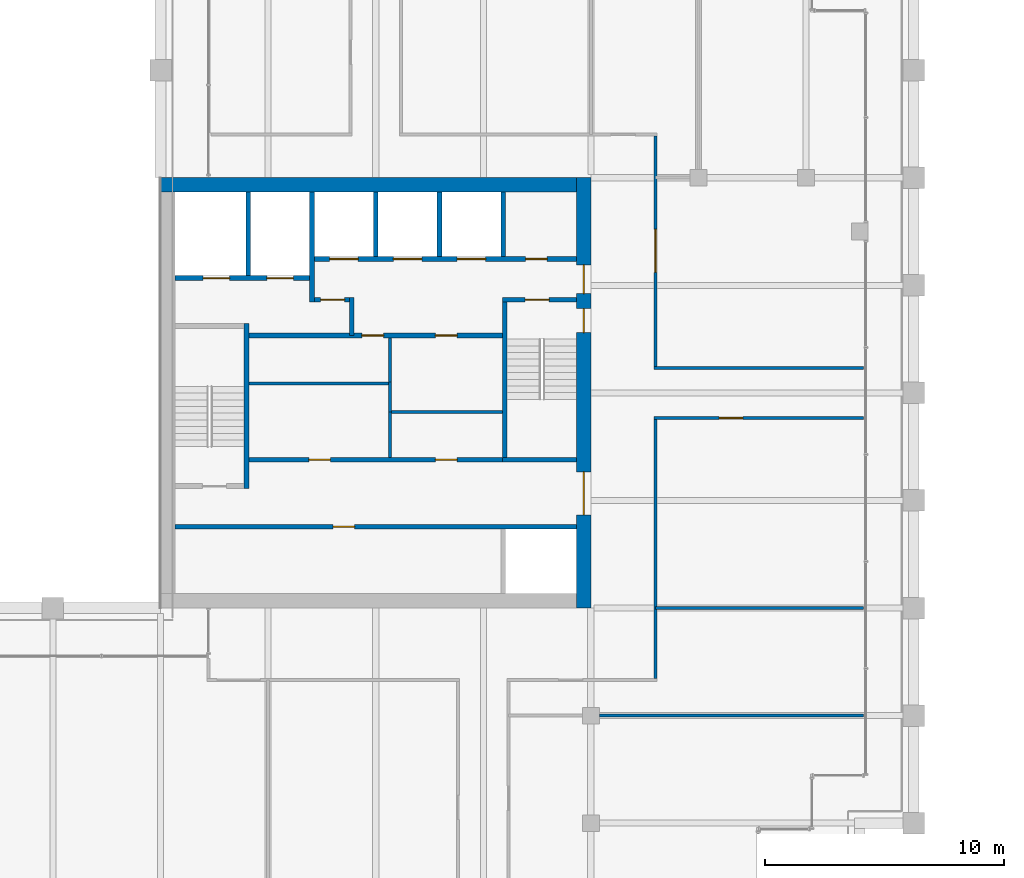
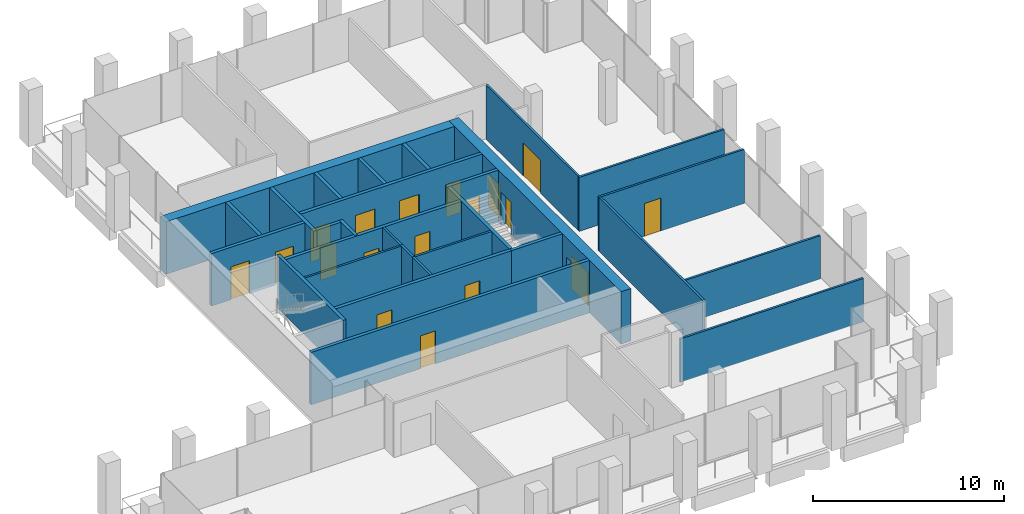
# One storey, part 36 of 40: 29 walls, 18 doors, 18 openings.
"""IFC4 building model written with IfcOpenShell, lengths in metres."""

from ifc_helpers import new_model, si_unit, direction, frame, frame_2d, origin, place, context, subcontext, project, spatial, rectangle, extrude, material, layer, layer_set, type_object, element, fill, save


model = new_model("IFC4")

# Units and contexts
model_context = context("Model", 3, precision=1e-05, world=origin(), true_north=direction((0.0, 1.0)))
body_context = subcontext(model_context, "Body", "Model", "MODEL_VIEW")
ifc_project = project(units=[si_unit("LENGTHUNIT", "METRE"), si_unit("AREAUNIT", "SQUARE_METRE"), si_unit("VOLUMEUNIT", "CUBIC_METRE"), si_unit("PLANEANGLEUNIT", "RADIAN"), si_unit("MASSUNIT", "GRAM", prefix="KILO")], contexts=[model_context])

# Site, building, storey
site_placement = place(None, origin())
site = spatial("IfcSite", under=ifc_project, at=site_placement, CompositionType="ELEMENT")
building_placement = place(site_placement, origin())
building = spatial("IfcBuilding", under=site, at=building_placement, Name="Altepetl Exchange Towers", CompositionType="ELEMENT")
storey_placement = place(building_placement, frame((0.0, 0.0, 183.39990234375)))
storey = spatial("IfcBuildingStorey", under=building, at=storey_placement, Name="L46", CompositionType="ELEMENT", Elevation=183.39990234375)

# Wall, openings, doors
ifc_material_1 = material(Name="Concrete C70/85", Category="concrete")
ifc_layer_1 = layer(ifc_material_1, 0.60009765625)
ifc_layer_set_1 = layer_set([ifc_layer_1], Name="Concrete C70/85")
wall_type_1 = type_object("IfcWallType", Name="Core wall 600 reinforced concrete", PredefinedType="SHEAR", material=ifc_layer_set_1)
wall_1_placement = place(storey_placement, frame((58.199951171875, 40.5, 0.0), z_axis=(0.0, 0.0, 1.0), x_axis=(0.0, 1.0, 0.0)))
wall_1 = element("IfcWall", 1, at=wall_1_placement, inside=storey, type_object=wall_type_1, Name="wall:A:L46:K-coreE", PredefinedType="SHEAR", context=body_context, shape_type="SweptSolid", body=[
    extrude(rectangle(XDim=18.0, YDim=0.60009765625, at=frame_2d((9.0, 0.0))), origin(), (0.0, 0.0, 1.0), 3.35009765625),
])
opening_1_placement = place(wall_1_placement, frame((13.14990234375, 0.0, 0.0)))
opening_1 = element("IfcOpeningElement", 2, at=opening_1_placement, cuts=wall_1, Name="Opening L46.A60", PredefinedType="OPENING", context=body_context, shape_type="SweptSolid", body=[
    extrude(rectangle(XDim=1.199951171875, YDim=2.10009765625, at=frame_2d((0.60009765625, 1.050048828125))), frame((0.0, 0.31005859375, 0.0), z_axis=(0.0, -1.0, 0.0), x_axis=(1.0, 0.0, 0.0)), (0.0, 0.0, 1.0), 0.6201171875),
])
opening_2_placement = place(wall_1_placement, frame((3.89990234375, 0.0, 0.0)))
opening_2 = element("IfcOpeningElement", 3, at=opening_2_placement, cuts=wall_1, Name="Opening L46.A61", PredefinedType="OPENING", context=body_context, shape_type="SweptSolid", body=[
    extrude(rectangle(XDim=1.800048828125, YDim=2.10009765625, at=frame_2d((0.89990234375, 1.050048828125))), frame((0.0, 0.31005859375, 0.0), z_axis=(0.0, -1.0, 0.0), x_axis=(1.0, 0.0, 0.0)), (0.0, 0.0, 1.0), 0.6201171875),
])
opening_3_placement = place(wall_1_placement, frame((11.52490234375, 0.0, 0.0)))
opening_3 = element("IfcOpeningElement", 4, at=opening_3_placement, cuts=wall_1, Name="Opening L46.A64", PredefinedType="OPENING", context=body_context, shape_type="SweptSolid", body=[
    extrude(rectangle(XDim=1.0, YDim=2.10009765625, at=frame_2d((0.5, 1.050048828125))), frame((0.0, 0.31005859375, 0.0), z_axis=(0.0, -1.0, 0.0), x_axis=(1.0, 0.0, 0.0)), (0.0, 0.0, 1.0), 0.6201171875),
])
ifc_material_2 = material(Name="Steel and timber fire door", Category="steel")
door_type_1 = type_object("IfcDoorType", Name="Fire door 1000 x 2100 stair and lobby", OperationType="SINGLE_SWING_LEFT", PredefinedType="DOOR", material=ifc_material_2)
door_1_placement = place(opening_3_placement, origin())
door_1 = element("IfcDoor", 5, at=door_1_placement, inside=storey, type_object=door_type_1, Name="door:A:L46:K-dS2x", OperationType="SINGLE_SWING_RIGHT", OverallHeight=2.10009765625, OverallWidth=1.0, PredefinedType="DOOR", context=body_context, shape_type="SweptSolid", body=[
    extrude(rectangle(XDim=1.0, YDim=2.10009765625, at=frame_2d((0.5, 1.050048828125))), frame((0.0, 0.02490234375, 0.0), z_axis=(0.0, -1.0, 0.0), x_axis=(1.0, 0.0, 0.0)), (0.0, 0.0, 1.0), 0.050048828125),
])
fill(opening_3, door_1)
door_type_2 = type_object("IfcDoorType", Name="Fire door 1200 x 2100 lobby entry", OperationType="SINGLE_SWING_LEFT", PredefinedType="DOOR", material=ifc_material_2)
door_2_placement = place(opening_1_placement, origin())
door_2 = element("IfcDoor", 6, at=door_2_placement, inside=storey, type_object=door_type_2, Name="door:A:L46:K-dLNE", OperationType="SINGLE_SWING_RIGHT", OverallHeight=2.10009765625, OverallWidth=1.199951171875, PredefinedType="DOOR", context=body_context, shape_type="SweptSolid", body=[
    extrude(rectangle(XDim=1.199951171875, YDim=2.10009765625, at=frame_2d((0.60009765625, 1.050048828125))), frame((0.0, 0.02490234375, 0.0), z_axis=(0.0, -1.0, 0.0), x_axis=(1.0, 0.0, 0.0)), (0.0, 0.0, 1.0), 0.050048828125),
])
fill(opening_1, door_2)
door_type_3 = type_object("IfcDoorType", Name="Fire door 1800 x 2100 lobby entry", OperationType="DOUBLE_DOOR_SINGLE_SWING", PredefinedType="DOOR", material=ifc_material_2)
door_3_placement = place(opening_2_placement, origin())
door_3 = element("IfcDoor", 7, at=door_3_placement, inside=storey, type_object=door_type_3, Name="door:A:L46:K-dLSE", OperationType="DOUBLE_DOOR_SINGLE_SWING", OverallHeight=2.10009765625, OverallWidth=1.800048828125, PredefinedType="DOOR", context=body_context, shape_type="SweptSolid", body=[
    extrude(rectangle(XDim=1.800048828125, YDim=2.10009765625, at=frame_2d((0.89990234375, 1.050048828125))), frame((0.0, 0.02490234375, 0.0), z_axis=(0.0, -1.0, 0.0), x_axis=(1.0, 0.0, 0.0)), (0.0, 0.0, 1.0), 0.050048828125),
])
fill(opening_2, door_3)

# Walls
wall_2_placement = place(storey_placement, frame((40.5, 58.199951171875, 0.0)))
element("IfcWall", 8, at=wall_2_placement, inside=storey, type_object=wall_type_1, Name="wall:A:L46:K-coreN", PredefinedType="SHEAR", context=body_context, shape_type="SweptSolid", body=[
    extrude(rectangle(XDim=17.39990234375, YDim=0.60009765625, at=frame_2d((8.699951171875, 0.0))), origin(), (0.0, 0.0, 1.0), 3.35009765625),
])
ifc_material_3 = material(Name="Concrete blockwork", Category="masonry")
ifc_layer_2 = layer(ifc_material_3, 0.199951171875)
ifc_layer_set_2 = layer_set([ifc_layer_2], Name="Concrete blockwork")
wall_type_2 = type_object("IfcWallType", Name="Lobby wall 200 blockwork", PredefinedType="PARTITIONING", material=ifc_layer_set_2)
wall_3_placement = place(storey_placement, frame((48.5, 51.89990234375, 0.0), z_axis=(0.0, 0.0, 1.0), x_axis=(0.0, 1.0, 0.0)))
element("IfcWall", 9, at=wall_3_placement, inside=storey, type_object=wall_type_2, Name="wall:A:L46:K-ffE", PredefinedType="PARTITIONING", context=body_context, shape_type="SweptSolid", body=[
    extrude(rectangle(XDim=1.60009765625, YDim=0.199951171875, at=frame_2d((0.800048828125, 0.0))), origin(), (0.0, 0.0, 1.0), 3.35009765625),
])

# Wall, opening, door
wall_4_placement = place(storey_placement, frame((46.933349609375, 53.39990234375, 0.0)))
wall_4 = element("IfcWall", 10, at=wall_4_placement, inside=storey, type_object=wall_type_2, Name="wall:A:L46:K-ffN", PredefinedType="PARTITIONING", context=body_context, shape_type="SweptSolid", body=[
    extrude(rectangle(XDim=1.466552734375, YDim=0.199951171875, at=frame_2d((0.7333984375, 0.0))), origin(), (0.0, 0.0, 1.0), 3.35009765625),
])
opening_4_placement = place(wall_4_placement, frame((0.2666015625, 0.0, 0.0)))
opening_4 = element("IfcOpeningElement", 11, at=opening_4_placement, cuts=wall_4, Name="Opening L46.A65", PredefinedType="OPENING", context=body_context, shape_type="SweptSolid", body=[
    extrude(rectangle(XDim=1.0, YDim=2.10009765625, at=frame_2d((0.5, 1.050048828125))), frame((0.0, 0.10986328125, 0.0), z_axis=(0.0, -1.0, 0.0), x_axis=(1.0, 0.0, 0.0)), (0.0, 0.0, 1.0), 0.219970703125),
])
door_4_placement = place(opening_4_placement, frame((1.0, 0.0, 0.0), x_axis=(-1.0, 0.0, 0.0)))
door_4 = element("IfcDoor", 12, at=door_4_placement, inside=storey, type_object=door_type_1, Name="door:A:L46:K-dffN", OperationType="SINGLE_SWING_RIGHT", OverallHeight=2.10009765625, OverallWidth=1.0, PredefinedType="DOOR", context=body_context, shape_type="SweptSolid", body=[
    extrude(rectangle(XDim=1.0, YDim=2.10009765625, at=frame_2d((0.5, 1.050048828125))), frame((0.0, 0.02490234375, 0.0), z_axis=(0.0, -1.0, 0.0), x_axis=(1.0, 0.0, 0.0)), (0.0, 0.0, 1.0), 0.050048828125),
])
fill(opening_4, door_4)

# Wall, openings, doors
wall_5_placement = place(storey_placement, frame((44.199951171875, 51.89990234375, 0.0)))
wall_5 = element("IfcWall", 13, at=wall_5_placement, inside=storey, type_object=wall_type_2, Name="wall:A:L46:K-zoneN", PredefinedType="PARTITIONING", context=body_context, shape_type="SweptSolid", body=[
    extrude(rectangle(XDim=10.60009765625, YDim=0.199951171875, at=frame_2d((5.300048828125, 0.0))), origin(), (0.0, 0.0, 1.0), 3.35009765625),
])
opening_5_placement = place(wall_5_placement, frame((4.72509765625, 0.0, 0.0)))
opening_5 = element("IfcOpeningElement", 14, at=opening_5_placement, cuts=wall_5, Name="Opening L46.A69", PredefinedType="OPENING", context=body_context, shape_type="SweptSolid", body=[
    extrude(rectangle(XDim=0.89990234375, YDim=2.10009765625, at=frame_2d((0.449951171875, 1.050048828125))), frame((0.0, 0.10986328125, 0.0), z_axis=(0.0, -1.0, 0.0), x_axis=(1.0, 0.0, 0.0)), (0.0, 0.0, 1.0), 0.219970703125),
])
opening_6_placement = place(wall_5_placement, frame((7.800048828125, 0.0, 0.0)))
opening_6 = element("IfcOpeningElement", 15, at=opening_6_placement, cuts=wall_5, Name="Opening L46.A71", PredefinedType="OPENING", context=body_context, shape_type="SweptSolid", body=[
    extrude(rectangle(XDim=0.89990234375, YDim=2.10009765625, at=frame_2d((0.449951171875, 1.050048828125))), frame((0.0, 0.10986328125, 0.0), z_axis=(0.0, -1.0, 0.0), x_axis=(1.0, 0.0, 0.0)), (0.0, 0.0, 1.0), 0.219970703125),
])
door_type_4 = type_object("IfcDoorType", Name="Fire door 900 x 2100 service room", OperationType="SINGLE_SWING_LEFT", PredefinedType="DOOR", material=ifc_material_2)
door_5_placement = place(opening_5_placement, frame((0.89990234375, 0.0, 0.0), x_axis=(-1.0, 0.0, 0.0)))
door_5 = element("IfcDoor", 16, at=door_5_placement, inside=storey, type_object=door_type_4, Name="door:A:L46:K-dz2", OperationType="SINGLE_SWING_RIGHT", OverallHeight=2.10009765625, OverallWidth=0.89990234375, PredefinedType="DOOR", context=body_context, shape_type="SweptSolid", body=[
    extrude(rectangle(XDim=0.89990234375, YDim=2.10009765625, at=frame_2d((0.449951171875, 1.050048828125))), frame((0.0, 0.02490234375, 0.0), z_axis=(0.0, -1.0, 0.0), x_axis=(1.0, 0.0, 0.0)), (0.0, 0.0, 1.0), 0.050048828125),
])
fill(opening_5, door_5)
door_6_placement = place(opening_6_placement, frame((0.89990234375, 0.0, 0.0), x_axis=(-1.0, 0.0, 0.0)))
door_6 = element("IfcDoor", 17, at=door_6_placement, inside=storey, type_object=door_type_4, Name="door:A:L46:K-dz4", OperationType="SINGLE_SWING_LEFT", OverallHeight=2.10009765625, OverallWidth=0.89990234375, PredefinedType="DOOR", context=body_context, shape_type="SweptSolid", body=[
    extrude(rectangle(XDim=0.89990234375, YDim=2.10009765625, at=frame_2d((0.449951171875, 1.050048828125))), frame((0.0, 0.02490234375, 0.0), z_axis=(0.0, -1.0, 0.0), x_axis=(1.0, 0.0, 0.0)), (0.0, 0.0, 1.0), 0.050048828125),
])
fill(opening_6, door_6)

wall_6_placement = place(storey_placement, frame((44.199951171875, 46.699951171875, 0.0)))
wall_6 = element("IfcWall", 18, at=wall_6_placement, inside=storey, type_object=wall_type_2, Name="wall:A:L46:K-zoneS", PredefinedType="PARTITIONING", context=body_context, shape_type="SweptSolid", body=[
    extrude(rectangle(XDim=10.60009765625, YDim=0.199951171875, at=frame_2d((5.300048828125, 0.0))), origin(), (0.0, 0.0, 1.0), 3.35009765625),
])
opening_7_placement = place(wall_6_placement, frame((2.5, 0.0, 0.0)))
opening_7 = element("IfcOpeningElement", 19, at=opening_7_placement, cuts=wall_6, Name="Opening L46.A68", PredefinedType="OPENING", context=body_context, shape_type="SweptSolid", body=[
    extrude(rectangle(XDim=0.89990234375, YDim=2.10009765625, at=frame_2d((0.449951171875, 1.050048828125))), frame((0.0, 0.10986328125, 0.0), z_axis=(0.0, -1.0, 0.0), x_axis=(1.0, 0.0, 0.0)), (0.0, 0.0, 1.0), 0.219970703125),
])
opening_8_placement = place(wall_6_placement, frame((7.800048828125, 0.0, 0.0)))
opening_8 = element("IfcOpeningElement", 20, at=opening_8_placement, cuts=wall_6, Name="Opening L46.A70", PredefinedType="OPENING", context=body_context, shape_type="SweptSolid", body=[
    extrude(rectangle(XDim=0.89990234375, YDim=2.10009765625, at=frame_2d((0.449951171875, 1.050048828125))), frame((0.0, 0.10986328125, 0.0), z_axis=(0.0, -1.0, 0.0), x_axis=(1.0, 0.0, 0.0)), (0.0, 0.0, 1.0), 0.219970703125),
])
door_7_placement = place(opening_7_placement, origin())
door_7 = element("IfcDoor", 21, at=door_7_placement, inside=storey, type_object=door_type_4, Name="door:A:L46:K-dz1", OperationType="SINGLE_SWING_RIGHT", OverallHeight=2.10009765625, OverallWidth=0.89990234375, PredefinedType="DOOR", context=body_context, shape_type="SweptSolid", body=[
    extrude(rectangle(XDim=0.89990234375, YDim=2.10009765625, at=frame_2d((0.449951171875, 1.050048828125))), frame((0.0, 0.02490234375, 0.0), z_axis=(0.0, -1.0, 0.0), x_axis=(1.0, 0.0, 0.0)), (0.0, 0.0, 1.0), 0.050048828125),
])
fill(opening_7, door_7)
door_8_placement = place(opening_8_placement, origin())
door_8 = element("IfcDoor", 22, at=door_8_placement, inside=storey, type_object=door_type_4, Name="door:A:L46:K-dz3", OperationType="SINGLE_SWING_RIGHT", OverallHeight=2.10009765625, OverallWidth=0.89990234375, PredefinedType="DOOR", context=body_context, shape_type="SweptSolid", body=[
    extrude(rectangle(XDim=0.89990234375, YDim=2.10009765625, at=frame_2d((0.449951171875, 1.050048828125))), frame((0.0, 0.02490234375, 0.0), z_axis=(0.0, -1.0, 0.0), x_axis=(1.0, 0.0, 0.0)), (0.0, 0.0, 1.0), 0.050048828125),
])
fill(opening_8, door_8)

# Walls
ifc_material_4 = material(Name="Gypsum board on steel studs", Category="steel")
ifc_layer_3 = layer(ifc_material_4, 0.125)
ifc_layer_set_3 = layer_set([ifc_layer_3], Name="Gypsum board on steel studs")
wall_type_3 = type_object("IfcWallType", Name="Partition 125 gypsum board on steel studs", PredefinedType="PARTITIONING", material=ifc_layer_set_3)
wall_7_placement = place(storey_placement, frame((50.10009765625, 46.800048828125, 0.0), z_axis=(0.0, 0.0, 1.0), x_axis=(0.0, 1.0, 0.0)))
element("IfcWall", 23, at=wall_7_placement, inside=storey, type_object=wall_type_3, Name="wall:A:L46:K-zp1", PredefinedType="PARTITIONING", context=body_context, shape_type="SweptSolid", body=[
    extrude(rectangle(XDim=1.96240234375, YDim=0.125, at=frame_2d((0.981201171875, 0.0))), origin(), (0.0, 0.0, 1.0), 3.35009765625),
])
wall_8_placement = place(storey_placement, frame((54.800048828125, 48.699951171875, 0.0), z_axis=(0.0, 0.0, 1.0), x_axis=(-1.0, 0.0, 0.0)))
element("IfcWall", 24, at=wall_8_placement, inside=storey, type_object=wall_type_3, Name="wall:A:L46:K-zp2", PredefinedType="PARTITIONING", context=body_context, shape_type="SweptSolid", body=[
    extrude(rectangle(XDim=4.637451171875, YDim=0.125, at=frame_2d((2.31884765625, 0.0))), origin(), (0.0, 0.0, 1.0), 3.35009765625),
])
wall_9_placement = place(storey_placement, frame((50.10009765625, 48.699951171875, 0.0), z_axis=(0.0, 0.0, 1.0), x_axis=(0.0, 1.0, 0.0)))
element("IfcWall", 25, at=wall_9_placement, inside=storey, type_object=wall_type_3, Name="wall:A:L46:K-zp3", PredefinedType="PARTITIONING", context=body_context, shape_type="SweptSolid", body=[
    extrude(rectangle(XDim=1.262451171875, YDim=0.125, at=frame_2d((0.63134765625, 0.0))), origin(), (0.0, 0.0, 1.0), 3.35009765625),
])
wall_10_placement = place(storey_placement, frame((50.03759765625, 49.89990234375, 0.0), z_axis=(0.0, 0.0, 1.0), x_axis=(-1.0, 0.0, 0.0)))
element("IfcWall", 26, at=wall_10_placement, inside=storey, type_object=wall_type_3, Name="wall:A:L46:K-zp4", PredefinedType="PARTITIONING", context=body_context, shape_type="SweptSolid", body=[
    extrude(rectangle(XDim=5.837646484375, YDim=0.125, at=frame_2d((2.9189453125, 0.0))), origin(), (0.0, 0.0, 1.0), 3.35009765625),
])
wall_11_placement = place(storey_placement, frame((50.10009765625, 49.89990234375, 0.0), z_axis=(0.0, 0.0, 1.0), x_axis=(0.0, 1.0, 0.0)))
element("IfcWall", 27, at=wall_11_placement, inside=storey, type_object=wall_type_3, Name="wall:A:L46:K-zp5", PredefinedType="PARTITIONING", context=body_context, shape_type="SweptSolid", body=[
    extrude(rectangle(XDim=1.900146484375, YDim=0.125, at=frame_2d((0.9501953125, 0.0))), origin(), (0.0, 0.0, 1.0), 3.35009765625),
])
wall_12_placement = place(storey_placement, frame((58.85009765625, 36.0, 0.0)))
element("IfcWall", 28, at=wall_12_placement, inside=storey, type_object=wall_type_3, Name="wall:A:L46:P02", PredefinedType="PARTITIONING", context=body_context, shape_type="SweptSolid", body=[
    extrude(rectangle(XDim=11.0498046875, YDim=0.125, at=frame_2d((5.52490234375, 0.0))), origin(), (0.0, 0.0, 1.0), 2.76611328125),
])
wall_13_placement = place(storey_placement, frame((61.199951171875, 40.5, 0.0)))
element("IfcWall", 29, at=wall_13_placement, inside=storey, type_object=wall_type_3, Name="wall:A:L46:P05", PredefinedType="PARTITIONING", context=body_context, shape_type="SweptSolid", body=[
    extrude(rectangle(XDim=8.699951171875, YDim=0.125, at=frame_2d((4.35009765625, 0.0))), origin(), (0.0, 0.0, 1.0), 2.76611328125),
])

# Wall, opening, door
wall_14_placement = place(storey_placement, frame((61.137451171875, 48.449951171875, 0.0)))
wall_14 = element("IfcWall", 30, at=wall_14_placement, inside=storey, type_object=wall_type_3, Name="wall:A:L46:P06", PredefinedType="PARTITIONING", context=body_context, shape_type="SweptSolid", body=[
    extrude(rectangle(XDim=8.762451171875, YDim=0.125, at=frame_2d((4.38134765625, 0.0))), origin(), (0.0, 0.0, 1.0), 3.4501953125),
])
opening_9_placement = place(wall_14_placement, frame((2.722412109375, 0.0, 0.0)))
opening_9 = element("IfcOpeningElement", 31, at=opening_9_placement, cuts=wall_14, Name="Opening L46.A05", PredefinedType="OPENING", context=body_context, shape_type="SweptSolid", body=[
    extrude(rectangle(XDim=1.0, YDim=2.10009765625, at=frame_2d((0.5, 1.050048828125))), frame((0.0, 0.072509765625, 0.0), z_axis=(0.0, -1.0, 0.0), x_axis=(1.0, 0.0, 0.0)), (0.0, 0.0, 1.0), 0.14501953125),
])
door_type_5 = type_object("IfcDoorType", Name="Fire door 1000 x 2100 single leaf", OperationType="SINGLE_SWING_LEFT", PredefinedType="DOOR", material=ifc_material_2)
door_9_placement = place(opening_9_placement, frame((1.0, 0.0, 0.0), x_axis=(-1.0, 0.0, 0.0)))
door_9 = element("IfcDoor", 32, at=door_9_placement, inside=storey, type_object=door_type_5, Name="door:A:L46:05", OperationType="SINGLE_SWING_LEFT", OverallHeight=2.10009765625, OverallWidth=1.0, PredefinedType="DOOR", context=body_context, shape_type="SweptSolid", body=[
    extrude(rectangle(XDim=1.0, YDim=2.10009765625, at=frame_2d((0.5, 1.050048828125))), frame((0.0, 0.02490234375, 0.0), z_axis=(0.0, -1.0, 0.0), x_axis=(1.0, 0.0, 0.0)), (0.0, 0.0, 1.0), 0.050048828125),
])
fill(opening_9, door_9)

# Walls
wall_15_placement = place(storey_placement, frame((61.137451171875, 50.550048828125, 0.0)))
element("IfcWall", 33, at=wall_15_placement, inside=storey, type_object=wall_type_3, Name="wall:A:L46:P07", PredefinedType="PARTITIONING", context=body_context, shape_type="SweptSolid", body=[
    extrude(rectangle(XDim=8.762451171875, YDim=0.125, at=frame_2d((4.38134765625, 0.0))), origin(), (0.0, 0.0, 1.0), 3.4501953125),
])
wall_16_placement = place(storey_placement, frame((61.199951171875, 37.5625, 0.0), z_axis=(0.0, 0.0, 1.0), x_axis=(0.0, 1.0, 0.0)))
element("IfcWall", 34, at=wall_16_placement, inside=storey, type_object=wall_type_3, Name="wall:A:L46:P18", PredefinedType="PARTITIONING", context=body_context, shape_type="SweptSolid", body=[
    extrude(rectangle(XDim=10.824951171875, YDim=0.125, at=frame_2d((5.41259765625, 0.0))), origin(), (0.0, 0.0, 1.0), 3.4501953125),
])

# Wall, opening, door
wall_17_placement = place(storey_placement, frame((61.199951171875, 50.612548828125, 0.0), z_axis=(0.0, 0.0, 1.0), x_axis=(0.0, 1.0, 0.0)))
wall_17 = element("IfcWall", 35, at=wall_17_placement, inside=storey, type_object=wall_type_3, Name="wall:A:L46:P19", PredefinedType="PARTITIONING", context=body_context, shape_type="SweptSolid", body=[
    extrude(rectangle(XDim=9.625, YDim=0.125, at=frame_2d((4.8125, 0.0))), origin(), (0.0, 0.0, 1.0), 3.4501953125),
])
opening_10_placement = place(wall_17_placement, frame((3.931396484375, 0.0, 0.0)))
opening_10 = element("IfcOpeningElement", 36, at=opening_10_placement, cuts=wall_17, Name="Opening L46.A06", PredefinedType="OPENING", context=body_context, shape_type="SweptSolid", body=[
    extrude(rectangle(XDim=1.800048828125, YDim=2.10009765625, at=frame_2d((0.89990234375, 1.050048828125))), frame((0.0, 0.072509765625, 0.0), z_axis=(0.0, -1.0, 0.0), x_axis=(1.0, 0.0, 0.0)), (0.0, 0.0, 1.0), 0.14501953125),
])
door_type_6 = type_object("IfcDoorType", Name="Fire door 1800 x 2100 double leaf", OperationType="DOUBLE_DOOR_SINGLE_SWING", PredefinedType="DOOR", material=ifc_material_2)
door_10_placement = place(opening_10_placement, frame((1.800048828125, 0.0, 0.0), x_axis=(-1.0, 0.0, 0.0)))
door_10 = element("IfcDoor", 37, at=door_10_placement, inside=storey, type_object=door_type_6, Name="door:A:L46:06", OperationType="DOUBLE_DOOR_SINGLE_SWING", OverallHeight=2.10009765625, OverallWidth=1.800048828125, PredefinedType="DOOR", context=body_context, shape_type="SweptSolid", body=[
    extrude(rectangle(XDim=1.800048828125, YDim=2.10009765625, at=frame_2d((0.89990234375, 1.050048828125))), frame((0.0, 0.02490234375, 0.0), z_axis=(0.0, -1.0, 0.0), x_axis=(1.0, 0.0, 0.0)), (0.0, 0.0, 1.0), 0.050048828125),
])
fill(opening_10, door_10)

# Walls
ifc_material_5 = material(Name="Concrete C40/50", Category="concrete")
ifc_layer_4 = layer(ifc_material_5, 0.199951171875)
ifc_layer_set_4 = layer_set([ifc_layer_4], Name="Concrete C40/50")
wall_type_4 = type_object("IfcWallType", Name="Shaft wall 200 reinforced concrete", PredefinedType="SHEAR", material=ifc_layer_set_4)
wall_18_placement = place(storey_placement, frame((44.166748046875, 57.89990234375, 0.0), z_axis=(0.0, 0.0, 1.0), x_axis=(0.0, -1.0, 0.0)))
element("IfcWall", 38, at=wall_18_placement, inside=storey, type_object=wall_type_4, Name="wall:A:L46:K-divN1", PredefinedType="SHEAR", context=body_context, shape_type="SweptSolid", body=[
    extrude(rectangle(XDim=3.5, YDim=0.199951171875, at=frame_2d((1.75, 0.0))), origin(), (0.0, 0.0, 1.0), 3.35009765625),
])
wall_19_placement = place(storey_placement, frame((46.833251953125, 57.89990234375, 0.0), z_axis=(0.0, 0.0, 1.0), x_axis=(0.0, -1.0, 0.0)))
element("IfcWall", 39, at=wall_19_placement, inside=storey, type_object=wall_type_4, Name="wall:A:L46:K-divN2", PredefinedType="SHEAR", context=body_context, shape_type="SweptSolid", body=[
    extrude(rectangle(XDim=4.599853515625, YDim=0.199951171875, at=frame_2d((2.2998046875, 0.0))), origin(), (0.0, 0.0, 1.0), 3.35009765625),
])
for number, where, z_axis, x_axis, name in (
    (40, (49.5, 57.89990234375, 0.0), (0.0, 0.0, 1.0), (0.0, -1.0, 0.0), "wall:A:L46:K-divN3"),
    (41, (52.166748046875, 57.89990234375, 0.0), (0.0, 0.0, 1.0), (0.0, -1.0, 0.0), "wall:A:L46:K-divN4"),
    (42, (54.833251953125, 57.89990234375, 0.0), (0.0, 0.0, 1.0), (0.0, -1.0, 0.0), "wall:A:L46:K-divN5"),
):
    element("IfcWall", number, at=place(storey_placement, frame(where, z_axis=z_axis, x_axis=x_axis)), inside=storey, type_object=wall_type_4, Name=name, PredefinedType="SHEAR", context=body_context, shape_type="SweptSolid", body=[
        extrude(rectangle(XDim=2.699951171875, YDim=0.199951171875, at=frame_2d((1.35009765625, 0.0))), origin(), (0.0, 0.0, 1.0), 3.35009765625),
    ])

# Wall, openings, doors
wall_20_placement = place(storey_placement, frame((46.933349609375, 55.10009765625, 0.0)))
wall_20 = element("IfcWall", 43, at=wall_20_placement, inside=storey, type_object=wall_type_4, Name="wall:A:L46:K-frontNb", PredefinedType="SHEAR", context=body_context, shape_type="SweptSolid", body=[
    extrude(rectangle(XDim=10.966552734375, YDim=0.199951171875, at=frame_2d((5.4833984375, 0.0))), origin(), (0.0, 0.0, 1.0), 3.35009765625),
])
opening_11_placement = place(wall_20_placement, frame((8.83349609375, 0.0, 0.0)))
opening_11 = element("IfcOpeningElement", 44, at=opening_11_placement, cuts=wall_20, Name="Opening L46.A66", PredefinedType="OPENING", context=body_context, shape_type="SweptSolid", body=[
    extrude(rectangle(XDim=0.89990234375, YDim=2.10009765625, at=frame_2d((0.449951171875, 1.050048828125))), frame((0.0, 0.10986328125, 0.0), z_axis=(0.0, -1.0, 0.0), x_axis=(1.0, 0.0, 0.0)), (0.0, 0.0, 1.0), 0.219970703125),
])
opening_12_placement = place(wall_20_placement, frame((0.63330078125, 0.0, 0.0)))
opening_12 = element("IfcOpeningElement", 45, at=opening_12_placement, cuts=wall_20, Name="Opening L46.A74", PredefinedType="OPENING", context=body_context, shape_type="SweptSolid", body=[
    extrude(rectangle(XDim=1.199951171875, YDim=2.10009765625, at=frame_2d((0.60009765625, 1.050048828125))), frame((0.0, 0.10986328125, 0.0), z_axis=(0.0, -1.0, 0.0), x_axis=(1.0, 0.0, 0.0)), (0.0, 0.0, 1.0), 0.219970703125),
])
opening_13_placement = place(wall_20_placement, frame((3.300048828125, 0.0, 0.0)))
opening_13 = element("IfcOpeningElement", 46, at=opening_13_placement, cuts=wall_20, Name="Opening L46.A75", PredefinedType="OPENING", context=body_context, shape_type="SweptSolid", body=[
    extrude(rectangle(XDim=1.199951171875, YDim=2.10009765625, at=frame_2d((0.60009765625, 1.050048828125))), frame((0.0, 0.10986328125, 0.0), z_axis=(0.0, -1.0, 0.0), x_axis=(1.0, 0.0, 0.0)), (0.0, 0.0, 1.0), 0.219970703125),
])
opening_14_placement = place(wall_20_placement, frame((5.966796875, 0.0, 0.0)))
opening_14 = element("IfcOpeningElement", 47, at=opening_14_placement, cuts=wall_20, Name="Opening L46.A76", PredefinedType="OPENING", context=body_context, shape_type="SweptSolid", body=[
    extrude(rectangle(XDim=1.199951171875, YDim=2.10009765625, at=frame_2d((0.60009765625, 1.050048828125))), frame((0.0, 0.10986328125, 0.0), z_axis=(0.0, -1.0, 0.0), x_axis=(1.0, 0.0, 0.0)), (0.0, 0.0, 1.0), 0.219970703125),
])
door_11_placement = place(opening_11_placement, origin())
door_11 = element("IfcDoor", 48, at=door_11_placement, inside=storey, type_object=door_type_4, Name="door:A:L46:K-driser", OperationType="SINGLE_SWING_RIGHT", OverallHeight=2.10009765625, OverallWidth=0.89990234375, PredefinedType="DOOR", context=body_context, shape_type="SweptSolid", body=[
    extrude(rectangle(XDim=0.89990234375, YDim=2.10009765625, at=frame_2d((0.449951171875, 1.050048828125))), frame((0.0, 0.02490234375, 0.0), z_axis=(0.0, -1.0, 0.0), x_axis=(1.0, 0.0, 0.0)), (0.0, 0.0, 1.0), 0.050048828125),
])
fill(opening_11, door_11)
ifc_material_6 = material(Name="Stainless steel", Category="steel")
door_type_7 = type_object("IfcDoorType", Name="Lift landing door 1200 x 2100", OperationType="SLIDING_TO_LEFT", PredefinedType="DOOR", material=ifc_material_6)
door_12_placement = place(opening_12_placement, origin())
door_12 = element("IfcDoor", 49, at=door_12_placement, inside=storey, type_object=door_type_7, Name="Landing door P5", OperationType="SLIDING_TO_LEFT", OverallHeight=2.10009765625, OverallWidth=1.199951171875, PredefinedType="DOOR", context=body_context, shape_type="SweptSolid", body=[
    extrude(rectangle(XDim=1.199951171875, YDim=2.10009765625, at=frame_2d((0.60009765625, 1.050048828125))), frame((0.0, 0.02490234375, 0.0), z_axis=(0.0, -1.0, 0.0), x_axis=(1.0, 0.0, 0.0)), (0.0, 0.0, 1.0), 0.050048828125),
])
fill(opening_12, door_12)
door_13_placement = place(opening_13_placement, origin())
door_13 = element("IfcDoor", 50, at=door_13_placement, inside=storey, type_object=door_type_7, Name="Landing door P6", OperationType="SLIDING_TO_LEFT", OverallHeight=2.10009765625, OverallWidth=1.199951171875, PredefinedType="DOOR", context=body_context, shape_type="SweptSolid", body=[
    extrude(rectangle(XDim=1.199951171875, YDim=2.10009765625, at=frame_2d((0.60009765625, 1.050048828125))), frame((0.0, 0.02490234375, 0.0), z_axis=(0.0, -1.0, 0.0), x_axis=(1.0, 0.0, 0.0)), (0.0, 0.0, 1.0), 0.050048828125),
])
fill(opening_13, door_13)
door_14_placement = place(opening_14_placement, origin())
door_14 = element("IfcDoor", 51, at=door_14_placement, inside=storey, type_object=door_type_7, Name="Landing door P7", OperationType="SLIDING_TO_LEFT", OverallHeight=2.10009765625, OverallWidth=1.199951171875, PredefinedType="DOOR", context=body_context, shape_type="SweptSolid", body=[
    extrude(rectangle(XDim=1.199951171875, YDim=2.10009765625, at=frame_2d((0.60009765625, 1.050048828125))), frame((0.0, 0.02490234375, 0.0), z_axis=(0.0, -1.0, 0.0), x_axis=(1.0, 0.0, 0.0)), (0.0, 0.0, 1.0), 0.050048828125),
])
fill(opening_14, door_14)

wall_21_placement = place(storey_placement, frame((41.10009765625, 54.300048828125, 0.0)))
wall_21 = element("IfcWall", 52, at=wall_21_placement, inside=storey, type_object=wall_type_4, Name="wall:A:L46:K-frontNd", PredefinedType="SHEAR", context=body_context, shape_type="SweptSolid", body=[
    extrude(rectangle(XDim=5.63330078125, YDim=0.199951171875, at=frame_2d((2.816650390625, 0.0))), origin(), (0.0, 0.0, 1.0), 3.35009765625),
])
opening_15_placement = place(wall_21_placement, frame((1.183349609375, 0.0, 0.0)))
opening_15 = element("IfcOpeningElement", 53, at=opening_15_placement, cuts=wall_21, Name="Opening L46.A72", PredefinedType="OPENING", context=body_context, shape_type="SweptSolid", body=[
    extrude(rectangle(XDim=1.10009765625, YDim=2.10009765625, at=frame_2d((0.550048828125, 1.050048828125))), frame((0.0, 0.10986328125, 0.0), z_axis=(0.0, -1.0, 0.0), x_axis=(1.0, 0.0, 0.0)), (0.0, 0.0, 1.0), 0.219970703125),
])
opening_16_placement = place(wall_21_placement, frame((3.85009765625, 0.0, 0.0)))
opening_16 = element("IfcOpeningElement", 54, at=opening_16_placement, cuts=wall_21, Name="Opening L46.A73", PredefinedType="OPENING", context=body_context, shape_type="SweptSolid", body=[
    extrude(rectangle(XDim=1.10009765625, YDim=2.10009765625, at=frame_2d((0.550048828125, 1.050048828125))), frame((0.0, 0.10986328125, 0.0), z_axis=(0.0, -1.0, 0.0), x_axis=(1.0, 0.0, 0.0)), (0.0, 0.0, 1.0), 0.219970703125),
])
door_type_8 = type_object("IfcDoorType", Name="Lift landing door 1100 x 2100", OperationType="SLIDING_TO_LEFT", PredefinedType="DOOR", material=ifc_material_6)
door_15_placement = place(opening_15_placement, origin())
door_15 = element("IfcDoor", 55, at=door_15_placement, inside=storey, type_object=door_type_8, Name="Landing door FFL1", OperationType="SLIDING_TO_LEFT", OverallHeight=2.10009765625, OverallWidth=1.10009765625, PredefinedType="DOOR", context=body_context, shape_type="SweptSolid", body=[
    extrude(rectangle(XDim=1.10009765625, YDim=2.10009765625, at=frame_2d((0.550048828125, 1.050048828125))), frame((0.0, 0.02490234375, 0.0), z_axis=(0.0, -1.0, 0.0), x_axis=(1.0, 0.0, 0.0)), (0.0, 0.0, 1.0), 0.050048828125),
])
fill(opening_15, door_15)
door_16_placement = place(opening_16_placement, origin())
door_16 = element("IfcDoor", 56, at=door_16_placement, inside=storey, type_object=door_type_8, Name="Landing door FFL2", OperationType="SLIDING_TO_LEFT", OverallHeight=2.10009765625, OverallWidth=1.10009765625, PredefinedType="DOOR", context=body_context, shape_type="SweptSolid", body=[
    extrude(rectangle(XDim=1.10009765625, YDim=2.10009765625, at=frame_2d((0.550048828125, 1.050048828125))), frame((0.0, 0.02490234375, 0.0), z_axis=(0.0, -1.0, 0.0), x_axis=(1.0, 0.0, 0.0)), (0.0, 0.0, 1.0), 0.050048828125),
])
fill(opening_16, door_16)

# Wall, opening, door
wall_22_placement = place(storey_placement, frame((41.10009765625, 43.89990234375, 0.0)))
wall_22 = element("IfcWall", 57, at=wall_22_placement, inside=storey, type_object=wall_type_4, Name="wall:A:L46:K-frontS", PredefinedType="SHEAR", context=body_context, shape_type="SweptSolid", body=[
    extrude(rectangle(XDim=16.7998046875, YDim=0.199951171875, at=frame_2d((8.39990234375, 0.0))), origin(), (0.0, 0.0, 1.0), 3.35009765625),
])
opening_17_placement = place(wall_22_placement, frame((6.61669921875, 0.0, 0.0)))
opening_17 = element("IfcOpeningElement", 58, at=opening_17_placement, cuts=wall_22, Name="Opening L46.A67", PredefinedType="OPENING", context=body_context, shape_type="SweptSolid", body=[
    extrude(rectangle(XDim=0.89990234375, YDim=2.10009765625, at=frame_2d((0.449951171875, 1.050048828125))), frame((0.0, 0.10986328125, 0.0), z_axis=(0.0, -1.0, 0.0), x_axis=(1.0, 0.0, 0.0)), (0.0, 0.0, 1.0), 0.219970703125),
])
door_17_placement = place(opening_17_placement, frame((0.89990234375, 0.0, 0.0), x_axis=(-1.0, 0.0, 0.0)))
door_17 = element("IfcDoor", 59, at=door_17_placement, inside=storey, type_object=door_type_4, Name="door:A:L46:K-dslotS0", OperationType="SINGLE_SWING_LEFT", OverallHeight=2.10009765625, OverallWidth=0.89990234375, PredefinedType="DOOR", context=body_context, shape_type="SweptSolid", body=[
    extrude(rectangle(XDim=0.89990234375, YDim=2.10009765625, at=frame_2d((0.449951171875, 1.050048828125))), frame((0.0, 0.02490234375, 0.0), z_axis=(0.0, -1.0, 0.0), x_axis=(1.0, 0.0, 0.0)), (0.0, 0.0, 1.0), 0.050048828125),
])
fill(opening_17, door_17)

# Wall
ifc_layer_5 = layer(ifc_material_5, 0.199951171875)
ifc_layer_set_5 = layer_set([ifc_layer_5], Name="Concrete C40/50")
wall_type_5 = type_object("IfcWallType", Name="Stair wall 200 reinforced concrete", PredefinedType="SHEAR", material=ifc_layer_set_5)
wall_23_placement = place(storey_placement, frame((44.10009765625, 45.5, 0.0), z_axis=(0.0, 0.0, 1.0), x_axis=(0.0, 1.0, 0.0)))
element("IfcWall", 60, at=wall_23_placement, inside=storey, type_object=wall_type_5, Name="wall:A:L46:K-stS1E", PredefinedType="SHEAR", context=body_context, shape_type="SweptSolid", body=[
    extrude(rectangle(XDim=6.89990234375, YDim=0.199951171875, at=frame_2d((3.449951171875, 0.0))), origin(), (0.0, 0.0, 1.0), 3.35009765625),
])

# Wall, opening, door
wall_24_placement = place(storey_placement, frame((54.800048828125, 53.39990234375, 0.0)))
wall_24 = element("IfcWall", 61, at=wall_24_placement, inside=storey, type_object=wall_type_5, Name="wall:A:L46:K-stS2N", PredefinedType="SHEAR", context=body_context, shape_type="SweptSolid", body=[
    extrude(rectangle(XDim=3.099853515625, YDim=0.199951171875, at=frame_2d((1.5498046875, 0.0))), origin(), (0.0, 0.0, 1.0), 3.35009765625),
])
opening_18_placement = place(wall_24_placement, frame((0.949951171875, 0.0, 0.0)))
opening_18 = element("IfcOpeningElement", 62, at=opening_18_placement, cuts=wall_24, Name="Opening L46.A63", PredefinedType="OPENING", context=body_context, shape_type="SweptSolid", body=[
    extrude(rectangle(XDim=1.0, YDim=2.10009765625, at=frame_2d((0.5, 1.050048828125))), frame((0.0, 0.10986328125, 0.0), z_axis=(0.0, -1.0, 0.0), x_axis=(1.0, 0.0, 0.0)), (0.0, 0.0, 1.0), 0.219970703125),
])
door_18_placement = place(opening_18_placement, frame((1.0, 0.0, 0.0), x_axis=(-1.0, 0.0, 0.0)))
door_18 = element("IfcDoor", 63, at=door_18_placement, inside=storey, type_object=door_type_1, Name="door:A:L46:K-dS2in", OperationType="SINGLE_SWING_LEFT", OverallHeight=2.10009765625, OverallWidth=1.0, PredefinedType="DOOR", context=body_context, shape_type="SweptSolid", body=[
    extrude(rectangle(XDim=1.0, YDim=2.10009765625, at=frame_2d((0.5, 1.050048828125))), frame((0.0, 0.02490234375, 0.0), z_axis=(0.0, -1.0, 0.0), x_axis=(1.0, 0.0, 0.0)), (0.0, 0.0, 1.0), 0.050048828125),
])
fill(opening_18, door_18)

# Walls
wall_25_placement = place(storey_placement, frame((54.800048828125, 46.699951171875, 0.0)))
element("IfcWall", 64, at=wall_25_placement, inside=storey, type_object=wall_type_5, Name="wall:A:L46:K-stS2S", PredefinedType="SHEAR", context=body_context, shape_type="SweptSolid", body=[
    extrude(rectangle(XDim=3.099853515625, YDim=0.199951171875, at=frame_2d((1.5498046875, 0.0))), origin(), (0.0, 0.0, 1.0), 3.35009765625),
])
wall_26_placement = place(storey_placement, frame((54.89990234375, 46.800048828125, 0.0), z_axis=(0.0, 0.0, 1.0), x_axis=(0.0, 1.0, 0.0)))
element("IfcWall", 65, at=wall_26_placement, inside=storey, type_object=wall_type_5, Name="wall:A:L46:K-stS2W", PredefinedType="SHEAR", context=body_context, shape_type="SweptSolid", body=[
    extrude(rectangle(XDim=6.5, YDim=0.199951171875, at=frame_2d((3.25, 0.0))), origin(), (0.0, 0.0, 1.0), 3.35009765625),
])

save(model, "model.ifc")
